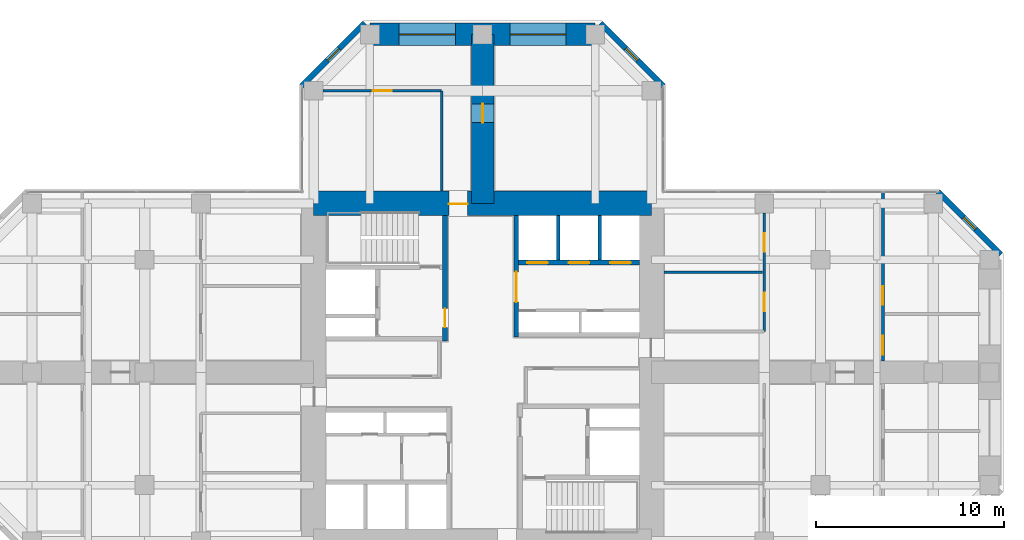
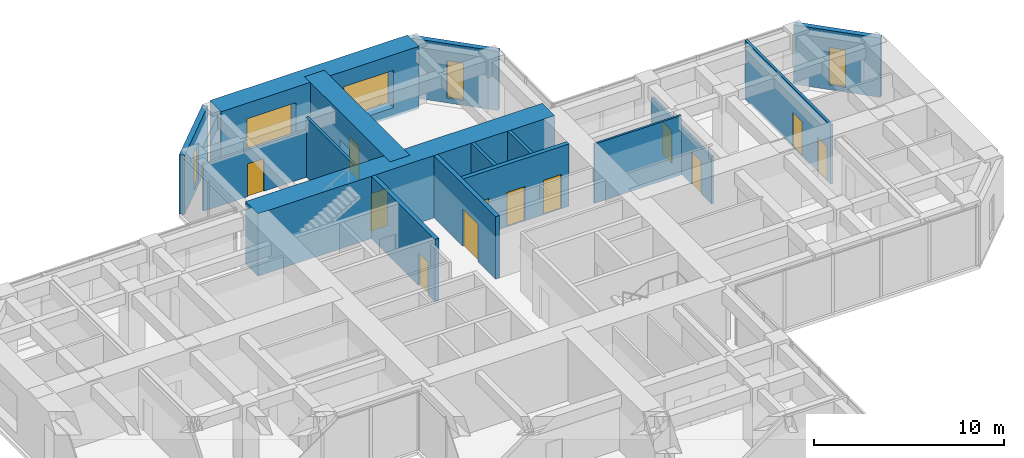
# One storey, part 11 of 13: 16 walls, 12 doors, 5 windows, 17 openings.
"""IFC4 building model written with IfcOpenShell, lengths in metres."""

from ifc_helpers import new_model, si_unit, direction, frame, frame_2d, origin, place, context, subcontext, project, spatial, rectangle, hollow_rectangle, extrude, material, layer, layer_set, constituent, constituent_set, type_object, element, fill, save


model = new_model("IFC4")

# Units and contexts
model_context = context("Model", 3, precision=1e-05, world=origin(), true_north=direction((0.0, 1.0)))
body_context = subcontext(model_context, "Body", "Model", "MODEL_VIEW")
ifc_project = project(units=[si_unit("LENGTHUNIT", "METRE"), si_unit("AREAUNIT", "SQUARE_METRE"), si_unit("VOLUMEUNIT", "CUBIC_METRE"), si_unit("PLANEANGLEUNIT", "RADIAN"), si_unit("MASSUNIT", "GRAM", prefix="KILO")], contexts=[model_context])

# Site, building, storey
site_placement = place(None, origin())
site = spatial("IfcSite", under=ifc_project, at=site_placement, CompositionType="ELEMENT")
building_placement = place(site_placement, origin())
building = spatial("IfcBuilding", under=site, at=building_placement, Name="Torre Cruceta", CompositionType="ELEMENT")
storey_placement = place(building_placement, frame((0.0, 0.0, 128.5)))
storey = spatial("IfcBuildingStorey", under=building, at=storey_placement, Name="L31", CompositionType="ELEMENT", Elevation=128.5)

# Wall, opening, door
ifc_material_1 = material(Name="Concrete G60 (fck 60 MPa)", Category="concrete")
ifc_layer_1 = layer(ifc_material_1, 0.25)
ifc_layer_set_1 = layer_set([ifc_layer_1], Name="Concrete G60 (fck 60 MPa)")
wall_type_1 = type_object("IfcWallType", Name="CORE INNER WALL 250 G60", PredefinedType="SHEAR", material=ifc_layer_set_1)
wall_1_placement = place(storey_placement, frame((1.800048828125, 1.875, 0.0), z_axis=(0.0, 0.0, 1.0), x_axis=(0.0, 1.0, 0.0)))
wall_1 = element("IfcWall", 1, at=wall_1_placement, inside=storey, type_object=wall_type_1, Name="CW4 L31 NE-CU", PredefinedType="SHEAR", context=body_context, shape_type="SweptSolid", body=[
    extrude(rectangle(XDim=6.47509765625, YDim=0.25, at=frame_2d((3.237548828125, 0.0))), origin(), (0.0, 0.0, 1.0), 4.0),
])
opening_1_placement = place(wall_1_placement, frame((1.875, 0.0, 0.0)))
opening_1 = element("IfcOpeningElement", 2, at=opening_1_placement, cuts=wall_1, Name="Opening D8", PredefinedType="OPENING", context=body_context, shape_type="SweptSolid", body=[
    extrude(rectangle(XDim=1.60009765625, YDim=2.39990234375, at=frame_2d((0.800048828125, 1.199951171875))), frame((0.0, 0.135009765625, 0.0), z_axis=(0.0, -1.0, 0.0), x_axis=(1.0, 0.0, 0.0)), (0.0, 0.0, 1.0), 0.27001953125),
])
ifc_material_2 = material(Name="Steel DX51D", Category="steel")
ifc_constituent_1 = constituent(ifc_material_2, Name="Leaf and frame")
ifc_material_3 = material(Name="Polyester powder coating", Category="paint")
ifc_constituent_2 = constituent(ifc_material_3, Name="Finish")
ifc_material_4 = material(Name="Fire-resisting glass", Category="glass")
ifc_constituent_3 = constituent(ifc_material_4, Name="Vision panel")
ifc_constituent_set_1 = constituent_set(constituents=[ifc_constituent_1, ifc_constituent_2, ifc_constituent_3], Name="Steel fire door with vision panels")
door_type_1 = type_object("IfcDoorType", Name="LIFT LOBBY DOUBLE DOOR 1600X2400", OperationType="DOUBLE_DOOR_DOUBLE_SWING", PredefinedType="DOOR", material=ifc_constituent_set_1)
door_1_placement = place(opening_1_placement, origin())
door_1 = element("IfcDoor", 3, at=door_1_placement, inside=storey, type_object=door_type_1, Name="D8 L31 NE-LOBBY", OperationType="DOUBLE_DOOR_DOUBLE_SWING", OverallHeight=2.39990234375, OverallWidth=1.60009765625, PredefinedType="DOOR", context=body_context, shape_type="SweptSolid", body=[
    extrude(rectangle(XDim=1.60009765625, YDim=2.39990234375, at=frame_2d((0.800048828125, 1.199951171875))), frame((0.0, 0.02490234375, 0.0), z_axis=(0.0, -1.0, 0.0), x_axis=(1.0, 0.0, 0.0)), (0.0, 0.0, 1.0), 0.050048828125),
])
fill(opening_1, door_1)

# Wall, openings, doors
wall_2_placement = place(storey_placement, frame((1.925048828125, 5.85009765625, 0.0), z_axis=(0.0, 0.0, 1.0), x_axis=(1.0, 0.0, 0.0)))
wall_2 = element("IfcWall", 4, at=wall_2_placement, inside=storey, type_object=wall_type_1, Name="CW4 L31 NE-LV", PredefinedType="SHEAR", context=body_context, shape_type="SweptSolid", body=[
    extrude(rectangle(XDim=6.425048828125, YDim=0.25, at=frame_2d((3.21240234375, 0.0))), origin(), (0.0, 0.0, 1.0), 4.0),
])
opening_2_placement = place(wall_2_placement, frame((0.4541015625, 0.0, 0.0)))
opening_2 = element("IfcOpeningElement", 5, at=opening_2_placement, cuts=wall_2, Name="Opening LD1", PredefinedType="OPENING", context=body_context, shape_type="SweptSolid", body=[
    extrude(rectangle(XDim=1.10009765625, YDim=2.199951171875, at=frame_2d((0.550048828125, 1.10009765625))), frame((0.0, 0.135009765625, 0.0), z_axis=(0.0, -1.0, 0.0), x_axis=(1.0, 0.0, 0.0)), (0.0, 0.0, 1.0), 0.27001953125),
])
opening_3_placement = place(wall_2_placement, frame((2.66259765625, 0.0, 0.0)))
opening_3 = element("IfcOpeningElement", 6, at=opening_3_placement, cuts=wall_2, Name="Opening LD1", PredefinedType="OPENING", context=body_context, shape_type="SweptSolid", body=[
    extrude(rectangle(XDim=1.10009765625, YDim=2.199951171875, at=frame_2d((0.550048828125, 1.10009765625))), frame((0.0, 0.135009765625, 0.0), z_axis=(0.0, -1.0, 0.0), x_axis=(1.0, 0.0, 0.0)), (0.0, 0.0, 1.0), 0.27001953125),
])
opening_4_placement = place(wall_2_placement, frame((4.870849609375, 0.0, 0.0)))
opening_4 = element("IfcOpeningElement", 7, at=opening_4_placement, cuts=wall_2, Name="Opening LD1", PredefinedType="OPENING", context=body_context, shape_type="SweptSolid", body=[
    extrude(rectangle(XDim=1.10009765625, YDim=2.199951171875, at=frame_2d((0.550048828125, 1.10009765625))), frame((0.0, 0.135009765625, 0.0), z_axis=(0.0, -1.0, 0.0), x_axis=(1.0, 0.0, 0.0)), (0.0, 0.0, 1.0), 0.27001953125),
])
ifc_material_5 = material(Name="Stainless steel 1.4401", Category="steel")
door_type_2 = type_object("IfcDoorType", Name="LIFT LANDING DOOR 1100X2200", OperationType="DOUBLE_DOOR_SLIDING", PredefinedType="DOOR", material=ifc_material_5)
door_2_placement = place(opening_2_placement, origin())
door_2 = element("IfcDoor", 8, at=door_2_placement, inside=storey, type_object=door_type_2, Name="Lift landing door P1", OperationType="DOUBLE_DOOR_SLIDING", OverallHeight=2.199951171875, OverallWidth=1.10009765625, PredefinedType="DOOR", context=body_context, shape_type="SweptSolid", body=[
    extrude(rectangle(XDim=1.10009765625, YDim=2.199951171875, at=frame_2d((0.550048828125, 1.10009765625))), frame((0.0, 0.02490234375, 0.0), z_axis=(0.0, -1.0, 0.0), x_axis=(1.0, 0.0, 0.0)), (0.0, 0.0, 1.0), 0.050048828125),
])
fill(opening_2, door_2)
door_3_placement = place(opening_3_placement, origin())
door_3 = element("IfcDoor", 9, at=door_3_placement, inside=storey, type_object=door_type_2, Name="Lift landing door P2", OperationType="DOUBLE_DOOR_SLIDING", OverallHeight=2.199951171875, OverallWidth=1.10009765625, PredefinedType="DOOR", context=body_context, shape_type="SweptSolid", body=[
    extrude(rectangle(XDim=1.10009765625, YDim=2.199951171875, at=frame_2d((0.550048828125, 1.10009765625))), frame((0.0, 0.02490234375, 0.0), z_axis=(0.0, -1.0, 0.0), x_axis=(1.0, 0.0, 0.0)), (0.0, 0.0, 1.0), 0.050048828125),
])
fill(opening_3, door_3)
door_4_placement = place(opening_4_placement, origin())
door_4 = element("IfcDoor", 10, at=door_4_placement, inside=storey, type_object=door_type_2, Name="Lift landing door P3", OperationType="DOUBLE_DOOR_SLIDING", OverallHeight=2.199951171875, OverallWidth=1.10009765625, PredefinedType="DOOR", context=body_context, shape_type="SweptSolid", body=[
    extrude(rectangle(XDim=1.10009765625, YDim=2.199951171875, at=frame_2d((0.550048828125, 1.10009765625))), frame((0.0, 0.02490234375, 0.0), z_axis=(0.0, -1.0, 0.0), x_axis=(1.0, 0.0, 0.0)), (0.0, 0.0, 1.0), 0.050048828125),
])
fill(opening_4, door_4)

# Wall, opening, door
wall_3_placement = place(storey_placement, frame((-2.0, 1.675048828125, 0.0), z_axis=(0.0, 0.0, 1.0), x_axis=(0.0, 1.0, 0.0)))
wall_3 = element("IfcWall", 11, at=wall_3_placement, inside=storey, type_object=wall_type_1, Name="CW4 L31 NW-CU", PredefinedType="SHEAR", context=body_context, shape_type="SweptSolid", body=[
    extrude(rectangle(XDim=6.675048828125, YDim=0.25, at=frame_2d((3.33740234375, 0.0))), origin(), (0.0, 0.0, 1.0), 4.0),
])
opening_5_placement = place(wall_3_placement, frame((0.72509765625, 0.0, 0.0)))
opening_5 = element("IfcOpeningElement", 12, at=opening_5_placement, cuts=wall_3, Name="Opening D3", PredefinedType="OPENING", context=body_context, shape_type="SweptSolid", body=[
    extrude(rectangle(XDim=1.0, YDim=2.10009765625, at=frame_2d((0.5, 1.050048828125))), frame((0.0, 0.135009765625, 0.0), z_axis=(0.0, -1.0, 0.0), x_axis=(1.0, 0.0, 0.0)), (0.0, 0.0, 1.0), 0.27001953125),
])
ifc_material_6 = material(Name="Steel DX51D", Category="steel")
ifc_constituent_4 = constituent(ifc_material_6, Name="Leaf and frame")
ifc_material_7 = material(Name="Polyester powder coating", Category="paint")
ifc_constituent_5 = constituent(ifc_material_7, Name="Finish")
ifc_constituent_set_2 = constituent_set(constituents=[ifc_constituent_4, ifc_constituent_5], Name="Steel fire door")
door_type_3 = type_object("IfcDoorType", Name="FIRE DOOR 1000X2100", OperationType="SINGLE_SWING_LEFT", PredefinedType="DOOR", material=ifc_constituent_set_2)
door_5_placement = place(opening_5_placement, origin())
door_5 = element("IfcDoor", 13, at=door_5_placement, inside=storey, type_object=door_type_3, Name="D3 L31 NW-LOBBY", OperationType="SINGLE_SWING_LEFT", OverallHeight=2.10009765625, OverallWidth=1.0, PredefinedType="DOOR", context=body_context, shape_type="SweptSolid", body=[
    extrude(rectangle(XDim=1.0, YDim=2.10009765625, at=frame_2d((0.5, 1.050048828125))), frame((0.0, 0.02490234375, 0.0), z_axis=(0.0, -1.0, 0.0), x_axis=(1.0, 0.0, 0.0)), (0.0, 0.0, 1.0), 0.050048828125),
])
fill(opening_5, door_5)

ifc_material_8 = material(Name="Concrete G60 (fck 60 MPa)", Category="concrete")
ifc_layer_2 = layer(ifc_material_8, 1.300048828125)
ifc_layer_set_2 = layer_set([ifc_layer_2], Name="Concrete G60 (fck 60 MPa)")
wall_type_2 = type_object("IfcWallType", Name="CORE WALL 1300 G60", PredefinedType="SHEAR", material=ifc_layer_set_2)
wall_4_placement = place(storey_placement, frame((9.0, 9.0, 0.0), z_axis=(0.0, 0.0, 1.0), x_axis=(-1.0, 0.0, 0.0)))
wall_4 = element("IfcWall", 14, at=wall_4_placement, inside=storey, type_object=wall_type_2, Name="CW1 L31 CW-N", PredefinedType="SHEAR", context=body_context, shape_type="SweptSolid", body=[
    extrude(rectangle(XDim=18.0, YDim=1.300048828125, at=frame_2d((9.0, 0.0))), origin(), (0.0, 0.0, 1.0), 4.0),
])
opening_6_placement = place(wall_4_placement, frame((9.800048828125, 0.0, 0.0)))
opening_6 = element("IfcOpeningElement", 15, at=opening_6_placement, cuts=wall_4, Name="Opening D4", PredefinedType="OPENING", context=body_context, shape_type="SweptSolid", body=[
    extrude(rectangle(XDim=1.0, YDim=2.39990234375, at=frame_2d((0.5, 1.199951171875))), frame((0.0, 0.659912109375, 0.0), z_axis=(0.0, -1.0, 0.0), x_axis=(1.0, 0.0, 0.0)), (0.0, 0.0, 1.0), 1.320068359375),
])
ifc_material_9 = material(Name="Steel DX51D", Category="steel")
ifc_constituent_6 = constituent(ifc_material_9, Name="Leaf and frame")
ifc_material_10 = material(Name="Polyester powder coating", Category="paint")
ifc_constituent_7 = constituent(ifc_material_10, Name="Finish")
ifc_constituent_set_3 = constituent_set(constituents=[ifc_constituent_6, ifc_constituent_7], Name="Steel fire door")
door_type_4 = type_object("IfcDoorType", Name="CORE ARM DOOR 1000X2400", OperationType="SINGLE_SWING_RIGHT", PredefinedType="DOOR", material=ifc_constituent_set_3)
door_6_placement = place(opening_6_placement, frame((1.0, 0.0, 0.0), z_axis=(0.0, 0.0, 1.0), x_axis=(-1.0, 0.0, 0.0)))
door_6 = element("IfcDoor", 16, at=door_6_placement, inside=storey, type_object=door_type_4, Name="D4 L31 CW-N", OperationType="SINGLE_SWING_RIGHT", OverallHeight=2.39990234375, OverallWidth=1.0, PredefinedType="DOOR", context=body_context, shape_type="SweptSolid", body=[
    extrude(rectangle(XDim=1.0, YDim=2.39990234375, at=frame_2d((0.5, 1.199951171875))), frame((0.0, -0.005126953125, 0.0), z_axis=(0.0, -1.0, 0.0), x_axis=(1.0, 0.0, 0.0)), (0.0, 0.0, 1.0), 0.050048828125),
])
fill(opening_6, door_6)

# Wall, opening, window
ifc_material_11 = material(Name="Concrete G30 (fck 30 MPa)", Category="concrete")
ifc_layer_3 = layer(ifc_material_11, 0.300048828125)
ifc_layer_set_3 = layer_set([ifc_layer_3], Name="Concrete G30 (fck 30 MPa)")
wall_type_3 = type_object("IfcWallType", Name="EXPOSED CONCRETE FACADE WALL 300", PredefinedType="SOLIDWALL", material=ifc_layer_set_3)
wall_5_placement = place(storey_placement, frame((27.60009765625, 6.27685546875, 0.0), z_axis=(0.0, 0.0, 1.0), x_axis=(-0.707106781187, 0.707106781187, 0.0)))
wall_5 = element("IfcWall", 17, at=wall_5_placement, inside=storey, type_object=wall_type_3, Name="EW1 facade wall L31 E chamfer 03", PredefinedType="SOLIDWALL", context=body_context, shape_type="SweptSolid", body=[
    extrude(rectangle(XDim=4.72802734375, YDim=0.300048828125, at=frame_2d((2.364013671875, 0.0))), origin(), (0.0, 0.0, 1.0), 3.800048828125),
])
opening_7_placement = place(wall_5_placement, frame((1.9140625, 0.0, 0.300048828125)))
opening_7 = element("IfcOpeningElement", 18, at=opening_7_placement, cuts=wall_5, Name="Opening WN5", PredefinedType="OPENING", context=body_context, shape_type="SweptSolid", body=[
    extrude(rectangle(XDim=0.89990234375, YDim=2.39990234375, at=frame_2d((0.449951171875, 1.199951171875))), frame((0.0, 0.159912109375, 0.0), z_axis=(0.0, -1.0, 0.0), x_axis=(1.0, 0.0, 0.0)), (0.0, 0.0, 1.0), 0.320068359375),
])
ifc_material_12 = material(Name="Aluminium window frame", Category="aluminium")
ifc_constituent_8 = constituent(ifc_material_12, Name="Frame")
ifc_material_13 = material(Name="Laminated insulating glass unit, low-iron clear", Category="glass")
ifc_constituent_9 = constituent(ifc_material_13, Name="Glazing")
ifc_constituent_set_4 = constituent_set(constituents=[ifc_constituent_8, ifc_constituent_9], Name="Aluminium window")
window_type_1 = type_object("IfcWindowType", Name="CHAMFER SLOT WINDOW 900X2400", PartitioningType="SINGLE_PANEL", PredefinedType="WINDOW", material=ifc_constituent_set_4)
window_1_placement = place(opening_7_placement, origin())
window_1 = element("IfcWindow", 19, at=window_1_placement, inside=storey, type_object=window_type_1, Name="WN5 L31 E 1", OverallHeight=2.39990234375, OverallWidth=0.89990234375, PartitioningType="SINGLE_PANEL", PredefinedType="WINDOW", context=body_context, shape_type="SweptSolid", body=[
    extrude(hollow_rectangle(XDim=0.89990234375, YDim=2.39990234375, WallThickness=0.06005859375, at=frame_2d((0.449951171875, 1.199951171875))), frame((0.0, 0.030029296875, 0.0), z_axis=(0.0, -1.0, 0.0), x_axis=(1.0, 0.0, 0.0)), (0.0, 0.0, 1.0), 0.06005859375),
    extrude(rectangle(XDim=0.77880859375, YDim=2.27880859375, at=frame_2d((0.449951171875, 1.199951171875))), frame((0.0, 0.030029296875, 0.0), z_axis=(0.0, -1.0, 0.0), x_axis=(1.0, 0.0, 0.0)), (0.0, 0.0, 1.0), 0.06005859375),
])
fill(opening_7, window_1)

wall_6_placement = place(storey_placement, frame((9.6201171875, 15.2568359375, 0.0), z_axis=(0.0, 0.0, 1.0), x_axis=(-0.707106781187, 0.707106781187, 0.0)))
wall_6 = element("IfcWall", 20, at=wall_6_placement, inside=storey, type_object=wall_type_3, Name="EW1 facade wall L31 N chamfer 06", PredefinedType="SOLIDWALL", context=body_context, shape_type="SweptSolid", body=[
    extrude(rectangle(XDim=4.72802734375, YDim=0.300048828125, at=frame_2d((2.364013671875, 0.0))), origin(), (0.0, 0.0, 1.0), 3.800048828125),
])
opening_8_placement = place(wall_6_placement, frame((1.9140625, 0.0, 0.300048828125)))
opening_8 = element("IfcOpeningElement", 21, at=opening_8_placement, cuts=wall_6, Name="Opening WN5", PredefinedType="OPENING", context=body_context, shape_type="SweptSolid", body=[
    extrude(rectangle(XDim=0.89990234375, YDim=2.39990234375, at=frame_2d((0.449951171875, 1.199951171875))), frame((0.0, 0.159912109375, 0.0), z_axis=(0.0, -1.0, 0.0), x_axis=(1.0, 0.0, 0.0)), (0.0, 0.0, 1.0), 0.320068359375),
])
window_2_placement = place(opening_8_placement, origin())
window_2 = element("IfcWindow", 22, at=window_2_placement, inside=storey, type_object=window_type_1, Name="WN5 L31 N 1", OverallHeight=2.39990234375, OverallWidth=0.89990234375, PartitioningType="SINGLE_PANEL", PredefinedType="WINDOW", context=body_context, shape_type="SweptSolid", body=[
    extrude(hollow_rectangle(XDim=0.89990234375, YDim=2.39990234375, WallThickness=0.06005859375, at=frame_2d((0.449951171875, 1.199951171875))), frame((0.0, 0.030029296875, 0.0), z_axis=(0.0, -1.0, 0.0), x_axis=(1.0, 0.0, 0.0)), (0.0, 0.0, 1.0), 0.06005859375),
    extrude(rectangle(XDim=0.77880859375, YDim=2.27880859375, at=frame_2d((0.449951171875, 1.199951171875))), frame((0.0, 0.030029296875, 0.0), z_axis=(0.0, -1.0, 0.0), x_axis=(1.0, 0.0, 0.0)), (0.0, 0.0, 1.0), 0.06005859375),
])
fill(opening_8, window_2)

wall_7_placement = place(storey_placement, frame((-6.27685546875, 18.60009765625, 0.0), z_axis=(0.0, 0.0, 1.0), x_axis=(-0.707106781187, -0.707106781187, 0.0)))
wall_7 = element("IfcWall", 23, at=wall_7_placement, inside=storey, type_object=wall_type_3, Name="EW1 facade wall L31 N chamfer 08", PredefinedType="SOLIDWALL", context=body_context, shape_type="SweptSolid", body=[
    extrude(rectangle(XDim=4.72802734375, YDim=0.300048828125, at=frame_2d((2.364013671875, 0.0))), origin(), (0.0, 0.0, 1.0), 3.800048828125),
])
opening_9_placement = place(wall_7_placement, frame((1.9140625, 0.0, 0.300048828125)))
opening_9 = element("IfcOpeningElement", 24, at=opening_9_placement, cuts=wall_7, Name="Opening WN5", PredefinedType="OPENING", context=body_context, shape_type="SweptSolid", body=[
    extrude(rectangle(XDim=0.89990234375, YDim=2.39990234375, at=frame_2d((0.449951171875, 1.199951171875))), frame((0.0, 0.159912109375, 0.0), z_axis=(0.0, -1.0, 0.0), x_axis=(1.0, 0.0, 0.0)), (0.0, 0.0, 1.0), 0.320068359375),
])
window_3_placement = place(opening_9_placement, origin())
window_3 = element("IfcWindow", 25, at=window_3_placement, inside=storey, type_object=window_type_1, Name="WN5 L31 N 1", OverallHeight=2.39990234375, OverallWidth=0.89990234375, PartitioningType="SINGLE_PANEL", PredefinedType="WINDOW", context=body_context, shape_type="SweptSolid", body=[
    extrude(hollow_rectangle(XDim=0.89990234375, YDim=2.39990234375, WallThickness=0.06005859375, at=frame_2d((0.449951171875, 1.199951171875))), frame((0.0, 0.030029296875, 0.0), z_axis=(0.0, -1.0, 0.0), x_axis=(1.0, 0.0, 0.0)), (0.0, 0.0, 1.0), 0.06005859375),
    extrude(rectangle(XDim=0.77880859375, YDim=2.27880859375, at=frame_2d((0.449951171875, 1.199951171875))), frame((0.0, 0.030029296875, 0.0), z_axis=(0.0, -1.0, 0.0), x_axis=(1.0, 0.0, 0.0)), (0.0, 0.0, 1.0), 0.06005859375),
])
fill(opening_9, window_3)

# Walls
ifc_material_14 = material(Name="Concrete G35 (fck 35 MPa)", Category="concrete")
ifc_layer_4 = layer(ifc_material_14, 0.199951171875)
ifc_layer_set_4 = layer_set([ifc_layer_4], Name="Concrete G35 (fck 35 MPa)")
wall_type_4 = type_object("IfcWallType", Name="LIFT SHAFT WALL 200", PredefinedType="PARTITIONING", material=ifc_layer_set_4)
for number, where, z_axis, x_axis, name in (
    (26, (4.033447265625, 5.97509765625, 0.0), (0.0, 0.0, 1.0), (0.0, 1.0, 0.0), "SW1 L31 NE-LS1"),
    (27, (6.24169921875, 5.97509765625, 0.0), (0.0, 0.0, 1.0), (0.0, 1.0, 0.0), "SW1 L31 NE-LS2"),
):
    element("IfcWall", number, at=place(storey_placement, frame(where, z_axis=z_axis, x_axis=x_axis)), inside=storey, type_object=wall_type_4, Name=name, PredefinedType="PARTITIONING", context=body_context, shape_type="SweptSolid", body=[
        extrude(rectangle(XDim=2.375, YDim=0.199951171875, at=frame_2d((1.1875, 0.0))), origin(), (0.0, 0.0, 1.0), 4.0),
    ])

# Wall, openings, windows
ifc_material_15 = material(Name="Concrete G60 (fck 60 MPa)", Category="concrete")
ifc_layer_5 = layer(ifc_material_15, 1.199951171875)
ifc_layer_set_5 = layer_set([ifc_layer_5], Name="Concrete G60 (fck 60 MPa)")
wall_type_5 = type_object("IfcWallType", Name="NOSE WALL 1200 G60", PredefinedType="SHEAR", material=ifc_layer_set_5)
wall_8_placement = place(storey_placement, frame((6.0, 18.0, 0.0), z_axis=(0.0, 0.0, 1.0), x_axis=(-1.0, 0.0, 0.0)))
wall_8 = element("IfcWall", 28, at=wall_8_placement, inside=storey, type_object=wall_type_5, Name="NW1 nose wall L31 N", PredefinedType="SHEAR", context=body_context, shape_type="SweptSolid", body=[
    extrude(rectangle(XDim=12.0, YDim=1.199951171875, at=frame_2d((6.0, 0.0))), origin(), (0.0, 0.0, 1.0), 4.0),
])
opening_10_placement = place(wall_8_placement, frame((1.550048828125, 0.0, 0.60009765625)))
opening_10 = element("IfcOpeningElement", 29, at=opening_10_placement, cuts=wall_8, Name="Opening WN6", PredefinedType="OPENING", context=body_context, shape_type="SweptSolid", body=[
    extrude(rectangle(XDim=3.0, YDim=2.39990234375, at=frame_2d((1.5, 1.199951171875))), frame((0.0, 0.60986328125, 0.0), z_axis=(0.0, -1.0, 0.0), x_axis=(1.0, 0.0, 0.0)), (0.0, 0.0, 1.0), 1.219970703125),
])
opening_11_placement = place(wall_8_placement, frame((7.449951171875, 0.0, 0.60009765625)))
opening_11 = element("IfcOpeningElement", 30, at=opening_11_placement, cuts=wall_8, Name="Opening WN6", PredefinedType="OPENING", context=body_context, shape_type="SweptSolid", body=[
    extrude(rectangle(XDim=3.0, YDim=2.39990234375, at=frame_2d((1.5, 1.199951171875))), frame((0.0, 0.60986328125, 0.0), z_axis=(0.0, -1.0, 0.0), x_axis=(1.0, 0.0, 0.0)), (0.0, 0.0, 1.0), 1.219970703125),
])
ifc_material_16 = material(Name="Aluminium window frame", Category="aluminium")
ifc_constituent_10 = constituent(ifc_material_16, Name="Frame")
ifc_material_17 = material(Name="Laminated insulating glass unit, low-iron clear", Category="glass")
ifc_constituent_11 = constituent(ifc_material_17, Name="Glazing")
ifc_constituent_set_5 = constituent_set(constituents=[ifc_constituent_10, ifc_constituent_11], Name="Aluminium window")
window_type_2 = type_object("IfcWindowType", Name="NOSE WALL WINDOW 3000X2400", PartitioningType="SINGLE_PANEL", PredefinedType="WINDOW", material=ifc_constituent_set_5)
window_4_placement = place(opening_10_placement, origin())
window_4 = element("IfcWindow", 31, at=window_4_placement, inside=storey, type_object=window_type_2, Name="WN6 L31 N 1", OverallHeight=2.39990234375, OverallWidth=3.0, PartitioningType="SINGLE_PANEL", PredefinedType="WINDOW", context=body_context, shape_type="SweptSolid", body=[
    extrude(hollow_rectangle(XDim=3.0, YDim=2.39990234375, WallThickness=0.06005859375, at=frame_2d((1.5, 1.199951171875))), frame((0.0, 0.030029296875, 0.0), z_axis=(0.0, -1.0, 0.0), x_axis=(1.0, 0.0, 0.0)), (0.0, 0.0, 1.0), 0.06005859375),
    extrude(rectangle(XDim=2.87890625, YDim=2.27880859375, at=frame_2d((1.5, 1.199951171875))), frame((0.0, 0.030029296875, 0.0), z_axis=(0.0, -1.0, 0.0), x_axis=(1.0, 0.0, 0.0)), (0.0, 0.0, 1.0), 0.06005859375),
])
fill(opening_10, window_4)
window_5_placement = place(opening_11_placement, origin())
window_5 = element("IfcWindow", 32, at=window_5_placement, inside=storey, type_object=window_type_2, Name="WN6 L31 N 2", OverallHeight=2.39990234375, OverallWidth=3.0, PartitioningType="SINGLE_PANEL", PredefinedType="WINDOW", context=body_context, shape_type="SweptSolid", body=[
    extrude(hollow_rectangle(XDim=3.0, YDim=2.39990234375, WallThickness=0.06005859375, at=frame_2d((1.5, 1.199951171875))), frame((0.0, 0.030029296875, 0.0), z_axis=(0.0, -1.0, 0.0), x_axis=(1.0, 0.0, 0.0)), (0.0, 0.0, 1.0), 0.06005859375),
    extrude(rectangle(XDim=2.87890625, YDim=2.27880859375, at=frame_2d((1.5, 1.199951171875))), frame((0.0, 0.030029296875, 0.0), z_axis=(0.0, -1.0, 0.0), x_axis=(1.0, 0.0, 0.0)), (0.0, 0.0, 1.0), 0.06005859375),
])
fill(opening_11, window_5)

# Wall, opening, door
ifc_material_18 = material(Name="Plasterboard on steel studs", Category="steel")
ifc_layer_6 = layer(ifc_material_18, 0.14990234375)
ifc_layer_set_6 = layer_set([ifc_layer_6], Name="Plasterboard on steel studs")
wall_type_6 = type_object("IfcWallType", Name="PARTITION 150", PredefinedType="PARTITIONING", material=ifc_layer_set_6)
wall_9_placement = place(storey_placement, frame((-2.175048828125, 15.0, 0.0), z_axis=(0.0, 0.0, 1.0), x_axis=(-1.0, 0.0, 0.0)))
wall_9 = element("IfcWall", 33, at=wall_9_placement, inside=storey, type_object=wall_type_6, Name="PT1 L31-N-BFL", PredefinedType="PARTITIONING", context=body_context, shape_type="SweptSolid", body=[
    extrude(rectangle(XDim=6.324951171875, YDim=0.14990234375, at=frame_2d((3.16259765625, 0.0))), origin(), (0.0, 0.0, 1.0), 3.0),
])
opening_12_placement = place(wall_9_placement, frame((2.66259765625, 0.0, 0.0)))
opening_12 = element("IfcOpeningElement", 34, at=opening_12_placement, cuts=wall_9, Name="Opening D3", PredefinedType="OPENING", context=body_context, shape_type="SweptSolid", body=[
    extrude(rectangle(XDim=1.0, YDim=2.10009765625, at=frame_2d((0.5, 1.050048828125))), frame((0.0, 0.0849609375, 0.0), z_axis=(0.0, -1.0, 0.0), x_axis=(1.0, 0.0, 0.0)), (0.0, 0.0, 1.0), 0.169921875),
])
door_7_placement = place(opening_12_placement, frame((1.0, 0.0, 0.0), z_axis=(0.0, 0.0, 1.0), x_axis=(-1.0, 0.0, 0.0)))
door_7 = element("IfcDoor", 35, at=door_7_placement, inside=storey, type_object=door_type_3, Name="D3 L31-N-BFL-D1", OperationType="SINGLE_SWING_LEFT", OverallHeight=2.10009765625, OverallWidth=1.0, PredefinedType="DOOR", context=body_context, shape_type="SweptSolid", body=[
    extrude(rectangle(XDim=1.0, YDim=2.10009765625, at=frame_2d((0.5, 1.050048828125))), frame((0.0, 0.025146484375, 0.0), z_axis=(0.0, -1.0, 0.0), x_axis=(1.0, 0.0, 0.0)), (0.0, 0.0, 1.0), 0.050048828125),
])
fill(opening_12, door_7)

# Wall
wall_10_placement = place(storey_placement, frame((-2.175048828125, 9.64990234375, 0.0), z_axis=(0.0, 0.0, 1.0), x_axis=(0.0, 1.0, 0.0)))
element("IfcWall", 36, at=wall_10_placement, inside=storey, type_object=wall_type_6, Name="PT1 L31-N-BSL", PredefinedType="PARTITIONING", context=body_context, shape_type="SweptSolid", body=[
    extrude(rectangle(XDim=5.35009765625, YDim=0.14990234375, at=frame_2d((2.675048828125, 0.0))), origin(), (0.0, 0.0, 1.0), 3.800048828125),
])

# Wall, openings, doors
wall_11_placement = place(storey_placement, frame((15.0, 2.175048828125, 0.0), z_axis=(0.0, 0.0, 1.0), x_axis=(0.0, 1.0, 0.0)))
wall_11 = element("IfcWall", 37, at=wall_11_placement, inside=storey, type_object=wall_type_6, Name="PT1 L31-E-BFL", PredefinedType="PARTITIONING", context=body_context, shape_type="SweptSolid", body=[
    extrude(rectangle(XDim=6.324951171875, YDim=0.14990234375, at=frame_2d((3.16259765625, 0.0))), origin(), (0.0, 0.0, 1.0), 3.0),
])
opening_13_placement = place(wall_11_placement, frame((1.081298828125, 0.0, 0.0)))
opening_13 = element("IfcOpeningElement", 38, at=opening_13_placement, cuts=wall_11, Name="Opening D3", PredefinedType="OPENING", context=body_context, shape_type="SweptSolid", body=[
    extrude(rectangle(XDim=1.0, YDim=2.10009765625, at=frame_2d((0.5, 1.050048828125))), frame((0.0, 0.0849609375, 0.0), z_axis=(0.0, -1.0, 0.0), x_axis=(1.0, 0.0, 0.0)), (0.0, 0.0, 1.0), 0.169921875),
])
opening_14_placement = place(wall_11_placement, frame((4.243896484375, 0.0, 0.0)))
opening_14 = element("IfcOpeningElement", 39, at=opening_14_placement, cuts=wall_11, Name="Opening D3", PredefinedType="OPENING", context=body_context, shape_type="SweptSolid", body=[
    extrude(rectangle(XDim=1.0, YDim=2.10009765625, at=frame_2d((0.5, 1.050048828125))), frame((0.0, 0.0849609375, 0.0), z_axis=(0.0, -1.0, 0.0), x_axis=(1.0, 0.0, 0.0)), (0.0, 0.0, 1.0), 0.169921875),
])
door_8_placement = place(opening_13_placement, origin())
door_8 = element("IfcDoor", 40, at=door_8_placement, inside=storey, type_object=door_type_3, Name="D3 L31-E-BFL-D1", OperationType="SINGLE_SWING_LEFT", OverallHeight=2.10009765625, OverallWidth=1.0, PredefinedType="DOOR", context=body_context, shape_type="SweptSolid", body=[
    extrude(rectangle(XDim=1.0, YDim=2.10009765625, at=frame_2d((0.5, 1.050048828125))), frame((0.0, 0.02490234375, 0.0), z_axis=(0.0, -1.0, 0.0), x_axis=(1.0, 0.0, 0.0)), (0.0, 0.0, 1.0), 0.050048828125),
])
fill(opening_13, door_8)
door_9_placement = place(opening_14_placement, origin())
door_9 = element("IfcDoor", 41, at=door_9_placement, inside=storey, type_object=door_type_3, Name="D3 L31-E-BFL-D2", OperationType="SINGLE_SWING_LEFT", OverallHeight=2.10009765625, OverallWidth=1.0, PredefinedType="DOOR", context=body_context, shape_type="SweptSolid", body=[
    extrude(rectangle(XDim=1.0, YDim=2.10009765625, at=frame_2d((0.5, 1.050048828125))), frame((0.0, 0.02490234375, 0.0), z_axis=(0.0, -1.0, 0.0), x_axis=(1.0, 0.0, 0.0)), (0.0, 0.0, 1.0), 0.050048828125),
])
fill(opening_14, door_9)

wall_12_placement = place(storey_placement, frame((21.320068359375, 0.60009765625, 0.0), z_axis=(0.0, 0.0, 1.0), x_axis=(0.0, 1.0, 0.0)))
wall_12 = element("IfcWall", 42, at=wall_12_placement, inside=storey, type_object=wall_type_6, Name="PT1 L31-E-TWL", PredefinedType="PARTITIONING", context=body_context, shape_type="SweptSolid", body=[
    extrude(rectangle(XDim=8.97998046875, YDim=0.14990234375, at=frame_2d((4.489990234375, 0.0))), origin(), (0.0, 0.0, 1.0), 3.800048828125),
])
opening_15_placement = place(wall_12_placement, frame((0.35009765625, 0.0, 0.0)))
opening_15 = element("IfcOpeningElement", 43, at=opening_15_placement, cuts=wall_12, Name="Opening D14", PredefinedType="OPENING", context=body_context, shape_type="SweptSolid", body=[
    extrude(rectangle(XDim=1.0, YDim=2.199951171875, at=frame_2d((0.5, 1.10009765625))), frame((0.0, 0.0849609375, 0.0), z_axis=(0.0, -1.0, 0.0), x_axis=(1.0, 0.0, 0.0)), (0.0, 0.0, 1.0), 0.169921875),
])
opening_16_placement = place(wall_12_placement, frame((2.992919921875, 0.0, 0.0)))
opening_16 = element("IfcOpeningElement", 44, at=opening_16_placement, cuts=wall_12, Name="Opening D14", PredefinedType="OPENING", context=body_context, shape_type="SweptSolid", body=[
    extrude(rectangle(XDim=1.0, YDim=2.199951171875, at=frame_2d((0.5, 1.10009765625))), frame((0.0, 0.0849609375, 0.0), z_axis=(0.0, -1.0, 0.0), x_axis=(1.0, 0.0, 0.0)), (0.0, 0.0, 1.0), 0.169921875),
])
ifc_material_19 = material(Name="Steel DX51D", Category="steel")
ifc_constituent_12 = constituent(ifc_material_19, Name="Leaf and frame")
ifc_material_20 = material(Name="Polyester powder coating", Category="paint")
ifc_constituent_13 = constituent(ifc_material_20, Name="Finish")
ifc_material_21 = material(Name="Fire-resisting glass", Category="glass")
ifc_constituent_14 = constituent(ifc_material_21, Name="Vision panel")
ifc_constituent_set_6 = constituent_set(constituents=[ifc_constituent_12, ifc_constituent_13, ifc_constituent_14], Name="Steel fire door with vision panel")
door_type_5 = type_object("IfcDoorType", Name="FIRE DOOR VISION PANEL 1000X2200", OperationType="SINGLE_SWING_RIGHT", PredefinedType="DOOR", material=ifc_constituent_set_6)
door_10_placement = place(opening_15_placement, frame((1.0, 0.0, 0.0), z_axis=(0.0, 0.0, 1.0), x_axis=(-1.0, 0.0, 0.0)))
door_10 = element("IfcDoor", 45, at=door_10_placement, inside=storey, type_object=door_type_5, Name="D14 L31-E-TWL-D1", OperationType="SINGLE_SWING_RIGHT", OverallHeight=2.199951171875, OverallWidth=1.0, PredefinedType="DOOR", context=body_context, shape_type="SweptSolid", body=[
    extrude(rectangle(XDim=1.0, YDim=2.199951171875, at=frame_2d((0.5, 1.10009765625))), frame((0.0, 0.025146484375, 0.0), z_axis=(0.0, -1.0, 0.0), x_axis=(1.0, 0.0, 0.0)), (0.0, 0.0, 1.0), 0.050048828125),
])
fill(opening_15, door_10)
door_11_placement = place(opening_16_placement, frame((1.0, 0.0, 0.0), z_axis=(0.0, 0.0, 1.0), x_axis=(-1.0, 0.0, 0.0)))
door_11 = element("IfcDoor", 46, at=door_11_placement, inside=storey, type_object=door_type_5, Name="D14 L31-E-TWL-D2", OperationType="SINGLE_SWING_RIGHT", OverallHeight=2.199951171875, OverallWidth=1.0, PredefinedType="DOOR", context=body_context, shape_type="SweptSolid", body=[
    extrude(rectangle(XDim=1.0, YDim=2.199951171875, at=frame_2d((0.5, 1.10009765625))), frame((0.0, 0.025146484375, 0.0), z_axis=(0.0, -1.0, 0.0), x_axis=(1.0, 0.0, 0.0)), (0.0, 0.0, 1.0), 0.050048828125),
])
fill(opening_16, door_11)

# Wall, opening, door
ifc_material_22 = material(Name="Concrete G60 (fck 60 MPa)", Category="concrete")
ifc_layer_7 = layer(ifc_material_22, 1.199951171875)
ifc_layer_set_7 = layer_set([ifc_layer_7], Name="Concrete G60 (fck 60 MPa)")
wall_type_7 = type_object("IfcWallType", Name="SPINE WALL 1200 G60", PredefinedType="SHEAR", material=ifc_layer_set_7)
wall_13_placement = place(storey_placement, frame((0.0, 9.0, 0.0), z_axis=(0.0, 0.0, 1.0), x_axis=(0.0, 1.0, 0.0)))
wall_13 = element("IfcWall", 47, at=wall_13_placement, inside=storey, type_object=wall_type_7, Name="SW3 spine wall L31 N", PredefinedType="SHEAR", context=body_context, shape_type="SweptSolid", body=[
    extrude(rectangle(XDim=9.0, YDim=1.199951171875, at=frame_2d((4.5, 0.0))), origin(), (0.0, 0.0, 1.0), 4.0),
])
opening_17_placement = place(wall_13_placement, frame((4.300048828125, 0.0, 0.0)))
opening_17 = element("IfcOpeningElement", 48, at=opening_17_placement, cuts=wall_13, Name="Opening D14", PredefinedType="OPENING", context=body_context, shape_type="SweptSolid", body=[
    extrude(rectangle(XDim=1.0, YDim=2.199951171875, at=frame_2d((0.5, 1.10009765625))), frame((0.0, 0.60986328125, 0.0), z_axis=(0.0, -1.0, 0.0), x_axis=(1.0, 0.0, 0.0)), (0.0, 0.0, 1.0), 1.219970703125),
])
door_12_placement = place(opening_17_placement, origin())
door_12 = element("IfcDoor", 49, at=door_12_placement, inside=storey, type_object=door_type_5, Name="D14 L31-N-SP1", OperationType="SINGLE_SWING_RIGHT", OverallHeight=2.199951171875, OverallWidth=1.0, PredefinedType="DOOR", context=body_context, shape_type="SweptSolid", body=[
    extrude(rectangle(XDim=1.0, YDim=2.199951171875, at=frame_2d((0.5, 1.10009765625))), frame((0.0, 0.02490234375, 0.0), z_axis=(0.0, -1.0, 0.0), x_axis=(1.0, 0.0, 0.0)), (0.0, 0.0, 1.0), 0.050048828125),
])
fill(opening_17, door_12)

# Wall
ifc_material_23 = material(Name="Plasterboard on steel studs", Category="steel")
ifc_layer_8 = layer(ifc_material_23, 0.1201171875)
ifc_layer_set_8 = layer_set([ifc_layer_8], Name="Plasterboard on steel studs")
wall_type_8 = type_object("IfcWallType", Name="WC PARTITION 120", PredefinedType="PLUMBINGWALL", material=ifc_layer_set_8)
wall_14_placement = place(storey_placement, frame((9.64990234375, 5.33740234375, 0.0), z_axis=(0.0, 0.0, 1.0), x_axis=(1.0, 0.0, 0.0)))
element("IfcWall", 50, at=wall_14_placement, inside=storey, type_object=wall_type_8, Name="PT5 L31-E-BDL1", PredefinedType="PLUMBINGWALL", context=body_context, shape_type="SweptSolid", body=[
    extrude(rectangle(XDim=5.25, YDim=0.1201171875, at=frame_2d((2.625, 0.0))), origin(), (0.0, 0.0, 1.0), 3.800048828125),
])

save(model, "model.ifc")
